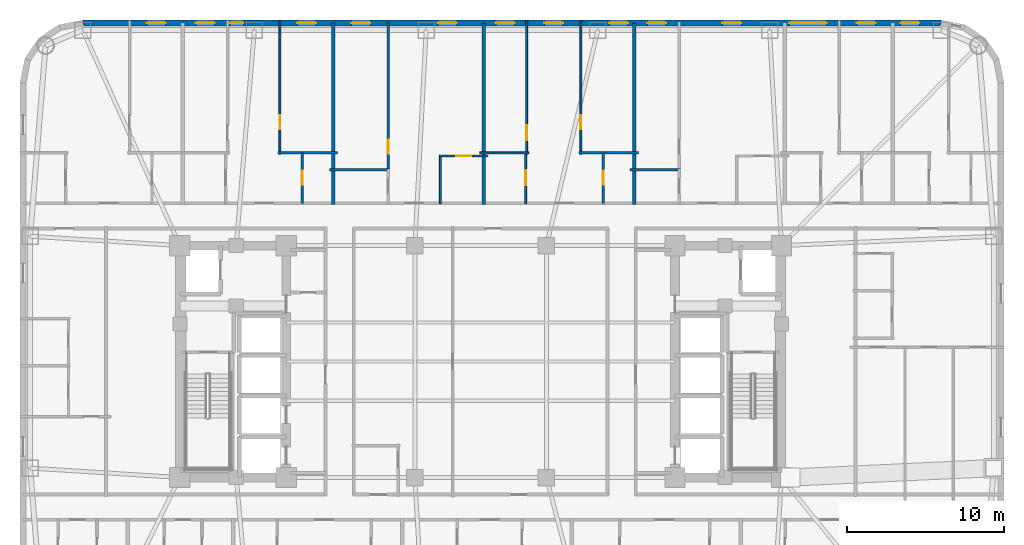
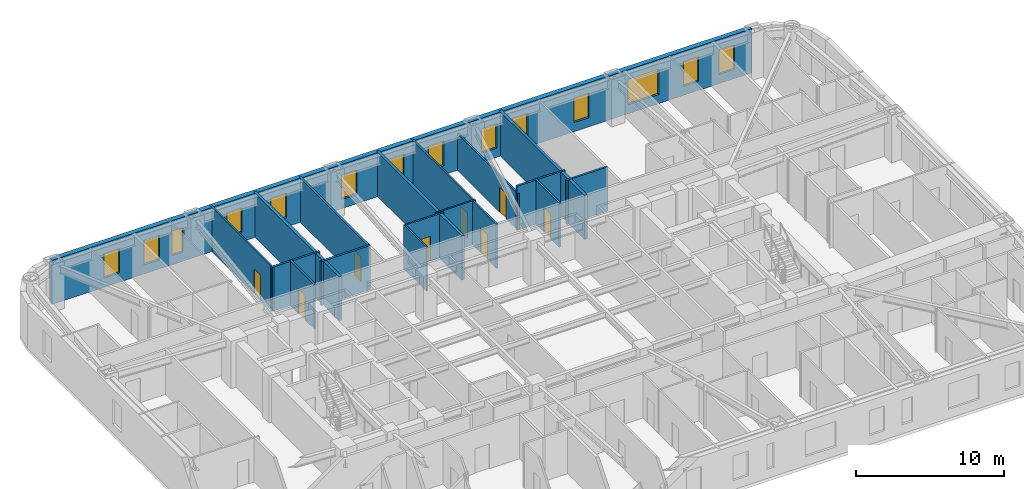
# One storey, part 8 of 11: 18 walls, 14 windows, 8 doors, 22 openings.
"""IFC4 building model written with IfcOpenShell, lengths in metres."""

from ifc_helpers import new_model, si_unit, direction, frame, frame_2d, origin, place, context, subcontext, project, spatial, rectangle, extrude, material, layer, layer_set, type_object, element, fill, save


model = new_model("IFC4")

# Units and contexts
model_context = context("Model", 3, precision=1e-05, world=origin(), true_north=direction((0.0, 1.0)))
body_context = subcontext(model_context, "Body", "Model", "MODEL_VIEW")
ifc_project = project(units=[si_unit("LENGTHUNIT", "METRE"), si_unit("AREAUNIT", "SQUARE_METRE"), si_unit("VOLUMEUNIT", "CUBIC_METRE"), si_unit("PLANEANGLEUNIT", "RADIAN"), si_unit("MASSUNIT", "GRAM", prefix="KILO")], contexts=[model_context])

# Site, building, storey
site_placement = place(None, origin())
site = spatial("IfcSite", under=ifc_project, at=site_placement, CompositionType="ELEMENT")
building_placement = place(site_placement, origin())
building = spatial("IfcBuilding", under=site, at=building_placement, Name="Voryun Gate Residences", CompositionType="ELEMENT")
storey_placement = place(building_placement, frame((0.0, 0.0, 97.5)))
storey = spatial("IfcBuildingStorey", under=building, at=storey_placement, Name="L23", CompositionType="ELEMENT", Elevation=97.5)

# Wall, openings, windows
ifc_material_1 = material(Name="Granite masonry", Category="masonry")
ifc_layer_1 = layer(ifc_material_1, 0.3798828125, Name="W_EXT_GRANITE_380")
ifc_layer_set_1 = layer_set([ifc_layer_1], Name="Granite masonry")
wall_type_1 = type_object("IfcWallType", Name="W_EXT_GRANITE_380", PredefinedType="ELEMENTEDWALL", material=ifc_layer_set_1)
wall_1_placement = place(storey_placement, frame((-25.38134765625, 21.610107421875, 0.0), z_axis=(0.0, 0.0, 1.0), x_axis=(1.0, 0.0, 0.0)))
wall_1 = element("IfcWall", 1, at=wall_1_placement, inside=storey, type_object=wall_type_1, Name="Exterior wall WEXT-L23-11", PredefinedType="ELEMENTEDWALL", context=body_context, shape_type="SweptSolid", body=[
    extrude(rectangle(XDim=54.7626953125, YDim=0.3798828125, at=frame_2d((27.38134765625, 0.0))), origin(), (0.0, 0.0, 1.0), 3.64990234375),
])
opening_1_placement = place(wall_1_placement, frame((45.0673828125, 0.0, 0.75)))
opening_1 = element("IfcOpeningElement", 2, at=opening_1_placement, cuts=wall_1, Name="Opening WN2", PredefinedType="OPENING", context=body_context, shape_type="SweptSolid", body=[
    extrude(rectangle(XDim=2.39990234375, YDim=2.10009765625, at=frame_2d((1.199951171875, 1.050048828125))), frame((0.0, 0.199951171875, 0.0), z_axis=(0.0, -1.0, 0.0), x_axis=(1.0, 0.0, 0.0)), (0.0, 0.0, 1.0), 0.39990234375),
])
opening_2_placement = place(wall_1_placement, frame((4.076416015625, 0.0, 0.75)))
opening_2 = element("IfcOpeningElement", 3, at=opening_2_placement, cuts=wall_1, Name="Opening WN6", PredefinedType="OPENING", context=body_context, shape_type="SweptSolid", body=[
    extrude(rectangle(XDim=1.199951171875, YDim=2.050048828125, at=frame_2d((0.60009765625, 1.02490234375))), frame((0.0, 0.199951171875, 0.0), z_axis=(0.0, -1.0, 0.0), x_axis=(1.0, 0.0, 0.0)), (0.0, 0.0, 1.0), 0.39990234375),
])
opening_3_placement = place(wall_1_placement, frame((9.394775390625, 0.0, 0.75)))
opening_3 = element("IfcOpeningElement", 4, at=opening_3_placement, cuts=wall_1, Name="Opening WN9", PredefinedType="OPENING", context=body_context, shape_type="SweptSolid", body=[
    extrude(rectangle(XDim=0.85009765625, YDim=2.050048828125, at=frame_2d((0.425048828125, 1.02490234375))), frame((0.0, 0.199951171875, 0.0), z_axis=(0.0, -1.0, 0.0), x_axis=(1.0, 0.0, 0.0)), (0.0, 0.0, 1.0), 0.39990234375),
])
opening_4_placement = place(wall_1_placement, frame((7.204833984375, 0.0, 0.75)))
opening_4 = element("IfcOpeningElement", 5, at=opening_4_placement, cuts=wall_1, Name="Opening WN6", PredefinedType="OPENING", context=body_context, shape_type="SweptSolid", body=[
    extrude(rectangle(XDim=1.199951171875, YDim=2.050048828125, at=frame_2d((0.60009765625, 1.02490234375))), frame((0.0, 0.199951171875, 0.0), z_axis=(0.0, -1.0, 0.0), x_axis=(1.0, 0.0, 0.0)), (0.0, 0.0, 1.0), 0.39990234375),
])
opening_5_placement = place(wall_1_placement, frame((13.67626953125, 0.0, 0.75)))
opening_5 = element("IfcOpeningElement", 6, at=opening_5_placement, cuts=wall_1, Name="Opening WN6", PredefinedType="OPENING", context=body_context, shape_type="SweptSolid", body=[
    extrude(rectangle(XDim=1.199951171875, YDim=2.050048828125, at=frame_2d((0.60009765625, 1.02490234375))), frame((0.0, 0.199951171875, 0.0), z_axis=(0.0, -1.0, 0.0), x_axis=(1.0, 0.0, 0.0)), (0.0, 0.0, 1.0), 0.39990234375),
])
opening_6_placement = place(wall_1_placement, frame((17.13623046875, 0.0, 0.75)))
opening_6 = element("IfcOpeningElement", 7, at=opening_6_placement, cuts=wall_1, Name="Opening WN6", PredefinedType="OPENING", context=body_context, shape_type="SweptSolid", body=[
    extrude(rectangle(XDim=1.199951171875, YDim=2.050048828125, at=frame_2d((0.60009765625, 1.02490234375))), frame((0.0, 0.199951171875, 0.0), z_axis=(0.0, -1.0, 0.0), x_axis=(1.0, 0.0, 0.0)), (0.0, 0.0, 1.0), 0.39990234375),
])
opening_7_placement = place(wall_1_placement, frame((22.65625, 0.0, 0.75)))
opening_7 = element("IfcOpeningElement", 8, at=opening_7_placement, cuts=wall_1, Name="Opening WN6", PredefinedType="OPENING", context=body_context, shape_type="SweptSolid", body=[
    extrude(rectangle(XDim=1.199951171875, YDim=2.050048828125, at=frame_2d((0.60009765625, 1.02490234375))), frame((0.0, 0.199951171875, 0.0), z_axis=(0.0, -1.0, 0.0), x_axis=(1.0, 0.0, 0.0)), (0.0, 0.0, 1.0), 0.39990234375),
])
opening_8_placement = place(wall_1_placement, frame((29.44287109375, 0.0, 0.75)))
opening_8 = element("IfcOpeningElement", 9, at=opening_8_placement, cuts=wall_1, Name="Opening WN6", PredefinedType="OPENING", context=body_context, shape_type="SweptSolid", body=[
    extrude(rectangle(XDim=1.199951171875, YDim=2.050048828125, at=frame_2d((0.60009765625, 1.02490234375))), frame((0.0, 0.199951171875, 0.0), z_axis=(0.0, -1.0, 0.0), x_axis=(1.0, 0.0, 0.0)), (0.0, 0.0, 1.0), 0.39990234375),
])
opening_9_placement = place(wall_1_placement, frame((26.347900390625, 0.0, 0.75)))
opening_9 = element("IfcOpeningElement", 10, at=opening_9_placement, cuts=wall_1, Name="Opening WN6", PredefinedType="OPENING", context=body_context, shape_type="SweptSolid", body=[
    extrude(rectangle(XDim=1.199951171875, YDim=2.050048828125, at=frame_2d((0.60009765625, 1.02490234375))), frame((0.0, 0.199951171875, 0.0), z_axis=(0.0, -1.0, 0.0), x_axis=(1.0, 0.0, 0.0)), (0.0, 0.0, 1.0), 0.39990234375),
])
opening_10_placement = place(wall_1_placement, frame((33.59619140625, 0.0, 0.75)))
opening_10 = element("IfcOpeningElement", 11, at=opening_10_placement, cuts=wall_1, Name="Opening WN6", PredefinedType="OPENING", context=body_context, shape_type="SweptSolid", body=[
    extrude(rectangle(XDim=1.199951171875, YDim=2.050048828125, at=frame_2d((0.60009765625, 1.02490234375))), frame((0.0, 0.199951171875, 0.0), z_axis=(0.0, -1.0, 0.0), x_axis=(1.0, 0.0, 0.0)), (0.0, 0.0, 1.0), 0.39990234375),
])
opening_11_placement = place(wall_1_placement, frame((36.014404296875, 0.0, 0.75)))
opening_11 = element("IfcOpeningElement", 12, at=opening_11_placement, cuts=wall_1, Name="Opening WN6", PredefinedType="OPENING", context=body_context, shape_type="SweptSolid", body=[
    extrude(rectangle(XDim=1.199951171875, YDim=2.050048828125, at=frame_2d((0.60009765625, 1.02490234375))), frame((0.0, 0.199951171875, 0.0), z_axis=(0.0, -1.0, 0.0), x_axis=(1.0, 0.0, 0.0)), (0.0, 0.0, 1.0), 0.39990234375),
])
opening_12_placement = place(wall_1_placement, frame((40.814208984375, 0.0, 0.75)))
opening_12 = element("IfcOpeningElement", 13, at=opening_12_placement, cuts=wall_1, Name="Opening WN6", PredefinedType="OPENING", context=body_context, shape_type="SweptSolid", body=[
    extrude(rectangle(XDim=1.199951171875, YDim=2.050048828125, at=frame_2d((0.60009765625, 1.02490234375))), frame((0.0, 0.199951171875, 0.0), z_axis=(0.0, -1.0, 0.0), x_axis=(1.0, 0.0, 0.0)), (0.0, 0.0, 1.0), 0.39990234375),
])
opening_13_placement = place(wall_1_placement, frame((49.38525390625, 0.0, 0.75)))
opening_13 = element("IfcOpeningElement", 14, at=opening_13_placement, cuts=wall_1, Name="Opening WN6", PredefinedType="OPENING", context=body_context, shape_type="SweptSolid", body=[
    extrude(rectangle(XDim=1.199951171875, YDim=2.050048828125, at=frame_2d((0.60009765625, 1.02490234375))), frame((0.0, 0.199951171875, 0.0), z_axis=(0.0, -1.0, 0.0), x_axis=(1.0, 0.0, 0.0)), (0.0, 0.0, 1.0), 0.39990234375),
])
opening_14_placement = place(wall_1_placement, frame((52.181396484375, 0.0, 0.75)))
opening_14 = element("IfcOpeningElement", 15, at=opening_14_placement, cuts=wall_1, Name="Opening WN6", PredefinedType="OPENING", context=body_context, shape_type="SweptSolid", body=[
    extrude(rectangle(XDim=1.199951171875, YDim=2.050048828125, at=frame_2d((0.60009765625, 1.02490234375))), frame((0.0, 0.199951171875, 0.0), z_axis=(0.0, -1.0, 0.0), x_axis=(1.0, 0.0, 0.0)), (0.0, 0.0, 1.0), 0.39990234375),
])
ifc_material_2 = material(Name="Laminated low-E glass", Category="glass")
window_type_1 = type_object("IfcWindowType", Name="WN_POD_SLOT_1200", PartitioningType="SINGLE_PANEL", PredefinedType="WINDOW", material=ifc_material_2)
window_1_placement = place(opening_2_placement, origin())
window_1 = element("IfcWindow", 16, at=window_1_placement, inside=storey, type_object=window_type_1, Name="Window WN-L23-DWFIX-02", OverallHeight=2.050048828125, OverallWidth=1.199951171875, PartitioningType="SINGLE_PANEL", PredefinedType="WINDOW", context=body_context, shape_type="SweptSolid", body=[
    extrude(rectangle(XDim=1.199951171875, YDim=2.050048828125, at=frame_2d((0.60009765625, 1.02490234375))), frame((0.0, 0.030029296875, 0.0), z_axis=(0.0, -1.0, 0.0), x_axis=(1.0, 0.0, 0.0)), (0.0, 0.0, 1.0), 0.06005859375),
])
fill(opening_2, window_1)
window_2_placement = place(opening_4_placement, origin())
window_2 = element("IfcWindow", 17, at=window_2_placement, inside=storey, type_object=window_type_1, Name="Window WN-L23-DWFIX-04", OverallHeight=2.050048828125, OverallWidth=1.199951171875, PartitioningType="SINGLE_PANEL", PredefinedType="WINDOW", context=body_context, shape_type="SweptSolid", body=[
    extrude(rectangle(XDim=1.199951171875, YDim=2.050048828125, at=frame_2d((0.60009765625, 1.02490234375))), frame((0.0, 0.030029296875, 0.0), z_axis=(0.0, -1.0, 0.0), x_axis=(1.0, 0.0, 0.0)), (0.0, 0.0, 1.0), 0.06005859375),
])
fill(opening_4, window_2)
window_3_placement = place(opening_5_placement, origin())
window_3 = element("IfcWindow", 18, at=window_3_placement, inside=storey, type_object=window_type_1, Name="Window WN-L23-DWFIX-05", OverallHeight=2.050048828125, OverallWidth=1.199951171875, PartitioningType="SINGLE_PANEL", PredefinedType="WINDOW", context=body_context, shape_type="SweptSolid", body=[
    extrude(rectangle(XDim=1.199951171875, YDim=2.050048828125, at=frame_2d((0.60009765625, 1.02490234375))), frame((0.0, 0.030029296875, 0.0), z_axis=(0.0, -1.0, 0.0), x_axis=(1.0, 0.0, 0.0)), (0.0, 0.0, 1.0), 0.06005859375),
])
fill(opening_5, window_3)
window_4_placement = place(opening_6_placement, origin())
window_4 = element("IfcWindow", 19, at=window_4_placement, inside=storey, type_object=window_type_1, Name="Window WN-L23-DWFIX-06", OverallHeight=2.050048828125, OverallWidth=1.199951171875, PartitioningType="SINGLE_PANEL", PredefinedType="WINDOW", context=body_context, shape_type="SweptSolid", body=[
    extrude(rectangle(XDim=1.199951171875, YDim=2.050048828125, at=frame_2d((0.60009765625, 1.02490234375))), frame((0.0, 0.030029296875, 0.0), z_axis=(0.0, -1.0, 0.0), x_axis=(1.0, 0.0, 0.0)), (0.0, 0.0, 1.0), 0.06005859375),
])
fill(opening_6, window_4)
window_5_placement = place(opening_7_placement, origin())
window_5 = element("IfcWindow", 20, at=window_5_placement, inside=storey, type_object=window_type_1, Name="Window WN-L23-DWFIX-07", OverallHeight=2.050048828125, OverallWidth=1.199951171875, PartitioningType="SINGLE_PANEL", PredefinedType="WINDOW", context=body_context, shape_type="SweptSolid", body=[
    extrude(rectangle(XDim=1.199951171875, YDim=2.050048828125, at=frame_2d((0.60009765625, 1.02490234375))), frame((0.0, 0.030029296875, 0.0), z_axis=(0.0, -1.0, 0.0), x_axis=(1.0, 0.0, 0.0)), (0.0, 0.0, 1.0), 0.06005859375),
])
fill(opening_7, window_5)
window_6_placement = place(opening_8_placement, origin())
window_6 = element("IfcWindow", 21, at=window_6_placement, inside=storey, type_object=window_type_1, Name="Window WN-L23-DWFIX-08", OverallHeight=2.050048828125, OverallWidth=1.199951171875, PartitioningType="SINGLE_PANEL", PredefinedType="WINDOW", context=body_context, shape_type="SweptSolid", body=[
    extrude(rectangle(XDim=1.199951171875, YDim=2.050048828125, at=frame_2d((0.60009765625, 1.02490234375))), frame((0.0, 0.030029296875, 0.0), z_axis=(0.0, -1.0, 0.0), x_axis=(1.0, 0.0, 0.0)), (0.0, 0.0, 1.0), 0.06005859375),
])
fill(opening_8, window_6)
window_7_placement = place(opening_9_placement, origin())
window_7 = element("IfcWindow", 22, at=window_7_placement, inside=storey, type_object=window_type_1, Name="Window WN-L23-DWFIX-09", OverallHeight=2.050048828125, OverallWidth=1.199951171875, PartitioningType="SINGLE_PANEL", PredefinedType="WINDOW", context=body_context, shape_type="SweptSolid", body=[
    extrude(rectangle(XDim=1.199951171875, YDim=2.050048828125, at=frame_2d((0.60009765625, 1.02490234375))), frame((0.0, 0.030029296875, 0.0), z_axis=(0.0, -1.0, 0.0), x_axis=(1.0, 0.0, 0.0)), (0.0, 0.0, 1.0), 0.06005859375),
])
fill(opening_9, window_7)
window_8_placement = place(opening_10_placement, origin())
window_8 = element("IfcWindow", 23, at=window_8_placement, inside=storey, type_object=window_type_1, Name="Window WN-L23-DWFIX-10", OverallHeight=2.050048828125, OverallWidth=1.199951171875, PartitioningType="SINGLE_PANEL", PredefinedType="WINDOW", context=body_context, shape_type="SweptSolid", body=[
    extrude(rectangle(XDim=1.199951171875, YDim=2.050048828125, at=frame_2d((0.60009765625, 1.02490234375))), frame((0.0, 0.030029296875, 0.0), z_axis=(0.0, -1.0, 0.0), x_axis=(1.0, 0.0, 0.0)), (0.0, 0.0, 1.0), 0.06005859375),
])
fill(opening_10, window_8)
window_9_placement = place(opening_11_placement, origin())
window_9 = element("IfcWindow", 24, at=window_9_placement, inside=storey, type_object=window_type_1, Name="Window WN-L23-DWFIX-11", OverallHeight=2.050048828125, OverallWidth=1.199951171875, PartitioningType="SINGLE_PANEL", PredefinedType="WINDOW", context=body_context, shape_type="SweptSolid", body=[
    extrude(rectangle(XDim=1.199951171875, YDim=2.050048828125, at=frame_2d((0.60009765625, 1.02490234375))), frame((0.0, 0.030029296875, 0.0), z_axis=(0.0, -1.0, 0.0), x_axis=(1.0, 0.0, 0.0)), (0.0, 0.0, 1.0), 0.06005859375),
])
fill(opening_11, window_9)
window_10_placement = place(opening_12_placement, origin())
window_10 = element("IfcWindow", 25, at=window_10_placement, inside=storey, type_object=window_type_1, Name="Window WN-L23-DWFIX-12", OverallHeight=2.050048828125, OverallWidth=1.199951171875, PartitioningType="SINGLE_PANEL", PredefinedType="WINDOW", context=body_context, shape_type="SweptSolid", body=[
    extrude(rectangle(XDim=1.199951171875, YDim=2.050048828125, at=frame_2d((0.60009765625, 1.02490234375))), frame((0.0, 0.030029296875, 0.0), z_axis=(0.0, -1.0, 0.0), x_axis=(1.0, 0.0, 0.0)), (0.0, 0.0, 1.0), 0.06005859375),
])
fill(opening_12, window_10)
window_11_placement = place(opening_13_placement, origin())
window_11 = element("IfcWindow", 26, at=window_11_placement, inside=storey, type_object=window_type_1, Name="Window WN-L23-DWFIX-13", OverallHeight=2.050048828125, OverallWidth=1.199951171875, PartitioningType="SINGLE_PANEL", PredefinedType="WINDOW", context=body_context, shape_type="SweptSolid", body=[
    extrude(rectangle(XDim=1.199951171875, YDim=2.050048828125, at=frame_2d((0.60009765625, 1.02490234375))), frame((0.0, 0.030029296875, 0.0), z_axis=(0.0, -1.0, 0.0), x_axis=(1.0, 0.0, 0.0)), (0.0, 0.0, 1.0), 0.06005859375),
])
fill(opening_13, window_11)
window_12_placement = place(opening_14_placement, origin())
window_12 = element("IfcWindow", 27, at=window_12_placement, inside=storey, type_object=window_type_1, Name="Window WN-L23-DWFIX-14", OverallHeight=2.050048828125, OverallWidth=1.199951171875, PartitioningType="SINGLE_PANEL", PredefinedType="WINDOW", context=body_context, shape_type="SweptSolid", body=[
    extrude(rectangle(XDim=1.199951171875, YDim=2.050048828125, at=frame_2d((0.60009765625, 1.02490234375))), frame((0.0, 0.030029296875, 0.0), z_axis=(0.0, -1.0, 0.0), x_axis=(1.0, 0.0, 0.0)), (0.0, 0.0, 1.0), 0.06005859375),
])
fill(opening_14, window_12)
ifc_material_3 = material(Name="Laminated low-E glass", Category="glass")
window_type_2 = type_object("IfcWindowType", Name="WN_RES_CASEMENT_850", PartitioningType="SINGLE_PANEL", PredefinedType="WINDOW", material=ifc_material_3)
window_13_placement = place(opening_3_placement, origin())
window_13 = element("IfcWindow", 28, at=window_13_placement, inside=storey, type_object=window_type_2, Name="Window WN-L23-DWFIX-03", OverallHeight=2.050048828125, OverallWidth=0.85009765625, PartitioningType="SINGLE_PANEL", PredefinedType="WINDOW", context=body_context, shape_type="SweptSolid", body=[
    extrude(rectangle(XDim=0.85009765625, YDim=2.050048828125, at=frame_2d((0.425048828125, 1.02490234375))), frame((0.0, 0.030029296875, 0.0), z_axis=(0.0, -1.0, 0.0), x_axis=(1.0, 0.0, 0.0)), (0.0, 0.0, 1.0), 0.06005859375),
])
fill(opening_3, window_13)
ifc_material_4 = material(Name="Laminated low-E glass", Category="glass")
window_type_3 = type_object("IfcWindowType", Name="WN_RES_WIDE_2400", PartitioningType="SINGLE_PANEL", PredefinedType="WINDOW", material=ifc_material_4)
window_14_placement = place(opening_1_placement, origin())
window_14 = element("IfcWindow", 29, at=window_14_placement, inside=storey, type_object=window_type_3, Name="Window WN-WEXT-L23-11-04", OverallHeight=2.10009765625, OverallWidth=2.39990234375, PartitioningType="SINGLE_PANEL", PredefinedType="WINDOW", context=body_context, shape_type="SweptSolid", body=[
    extrude(rectangle(XDim=2.39990234375, YDim=2.10009765625, at=frame_2d((1.199951171875, 1.050048828125))), frame((0.0, 0.030029296875, 0.0), z_axis=(0.0, -1.0, 0.0), x_axis=(1.0, 0.0, 0.0)), (0.0, 0.0, 1.0), 0.06005859375),
])
fill(opening_1, window_14)

# Walls
ifc_material_5 = material(Name="Concrete C40/50", Category="concrete")
ifc_layer_2 = layer(ifc_material_5, 0.219970703125, Name="W_PARTY_ACOUSTIC_220")
ifc_layer_set_2 = layer_set([ifc_layer_2], Name="Concrete C40/50")
wall_type_2 = type_object("IfcWallType", Name="W_PARTY_ACOUSTIC_220", PredefinedType="PARTITIONING", material=ifc_layer_set_2)
for number, where, z_axis, x_axis, name in (
    (30, (-9.39990234375, 10.02001953125, 0.0), (0.0, 0.0, 1.0), (0.0, 1.0, 0.0), "Partition wall WP-L23-NPTY-2"),
    (31, (0.199951171875, 10.02001953125, 0.0), (0.0, 0.0, 1.0), (0.0, 1.0, 0.0), "Partition wall WP-L23-NPTY-3"),
    (32, (9.800048828125, 10.02001953125, 0.0), (0.0, 0.0, 1.0), (0.0, 1.0, 0.0), "Partition wall WP-L23-NPTY-4"),
):
    element("IfcWall", number, at=place(storey_placement, frame(where, z_axis=z_axis, x_axis=x_axis)), inside=storey, type_object=wall_type_2, Name=name, PredefinedType="PARTITIONING", context=body_context, shape_type="SweptSolid", body=[
        extrude(rectangle(XDim=11.590087890625, YDim=0.219970703125, at=frame_2d((5.794921875, 0.0))), origin(), (0.0, 0.0, 1.0), 3.64990234375),
    ])

# Wall, opening, door
ifc_material_6 = material(Name="Gypsum acoustic partition")
ifc_layer_3 = layer(ifc_material_6, 0.125, Name="W_UNIT_PART_125")
ifc_layer_set_3 = layer_set([ifc_layer_3], Name="Gypsum acoustic partition")
wall_type_3 = type_object("IfcWallType", Name="W_UNIT_PART_125", PredefinedType="PARTITIONING", material=ifc_layer_set_3)
wall_2_placement = place(storey_placement, frame((-12.81005859375, 13.239990234375, 0.0), z_axis=(0.0, 0.0, 1.0), x_axis=(0.0, 1.0, 0.0)))
wall_2 = element("IfcWall", 33, at=wall_2_placement, inside=storey, type_object=wall_type_3, Name="Partition wall WP-L23-N2-OVR", PredefinedType="PARTITIONING", context=body_context, shape_type="SweptSolid", body=[
    extrude(rectangle(XDim=8.52001953125, YDim=0.125, at=frame_2d((4.260009765625, 0.0))), origin(), (0.0, 0.0, 1.0), 3.64990234375),
])
opening_15_placement = place(wall_2_placement, frame((1.5947265625, 0.0, 0.0)))
opening_15 = element("IfcOpeningElement", 34, at=opening_15_placement, cuts=wall_2, Name="Opening D-INT-2", PredefinedType="OPENING", context=body_context, shape_type="SweptSolid", body=[
    extrude(rectangle(XDim=0.89990234375, YDim=2.050048828125, at=frame_2d((0.449951171875, 1.02490234375))), frame((0.0, 0.072509765625, 0.0), z_axis=(0.0, -1.0, 0.0), x_axis=(1.0, 0.0, 0.0)), (0.0, 0.0, 1.0), 0.14501953125),
])
ifc_material_7 = material(Name="Architectural oak veneer")
door_type_1 = type_object("IfcDoorType", Name="DR_INT_BATH_900", OperationType="NOTDEFINED", PredefinedType="DOOR", material=ifc_material_7)
door_1_placement = place(opening_15_placement, origin())
door_1 = element("IfcDoor", 35, at=door_1_placement, inside=storey, type_object=door_type_1, Name="Door DR-L23-N2-DMB", OperationType="SINGLE_SWING_RIGHT", OverallHeight=2.050048828125, OverallWidth=0.89990234375, PredefinedType="DOOR", context=body_context, shape_type="SweptSolid", body=[
    extrude(rectangle(XDim=0.89990234375, YDim=2.050048828125, at=frame_2d((0.449951171875, 1.02490234375))), frame((0.0, 0.02490234375, 0.0), z_axis=(0.0, -1.0, 0.0), x_axis=(1.0, 0.0, 0.0)), (0.0, 0.0, 1.0), 0.050048828125),
])
fill(opening_15, door_1)

wall_3_placement = place(storey_placement, frame((-2.633056640625, 13.1201171875, 0.0), z_axis=(0.0, 0.0, 1.0), x_axis=(1.0, 0.0, 0.0)))
wall_3 = element("IfcWall", 36, at=wall_3_placement, inside=storey, type_object=wall_type_3, Name="Partition wall WP-L23-N3-KHY", PredefinedType="PARTITIONING", context=body_context, shape_type="SweptSolid", body=[
    extrude(rectangle(XDim=3.093017578125, YDim=0.125, at=frame_2d((1.54638671875, 0.0))), origin(), (0.0, 0.0, 1.0), 3.64990234375),
])
opening_16_placement = place(wall_3_placement, frame((1.071533203125, 0.0, 0.0)))
opening_16 = element("IfcOpeningElement", 37, at=opening_16_placement, cuts=wall_3, Name="Opening D-INT-1", PredefinedType="OPENING", context=body_context, shape_type="SweptSolid", body=[
    extrude(rectangle(XDim=0.949951171875, YDim=2.050048828125, at=frame_2d((0.47509765625, 1.02490234375))), frame((0.0, 0.072509765625, 0.0), z_axis=(0.0, -1.0, 0.0), x_axis=(1.0, 0.0, 0.0)), (0.0, 0.0, 1.0), 0.14501953125),
])
ifc_material_8 = material(Name="Architectural oak veneer")
door_type_2 = type_object("IfcDoorType", Name="DR_INT_ROOM_950", OperationType="NOTDEFINED", PredefinedType="DOOR", material=ifc_material_8)
door_2_placement = place(opening_16_placement, origin())
door_2 = element("IfcDoor", 38, at=door_2_placement, inside=storey, type_object=door_type_2, Name="Door DR-L23-N3-DK", OperationType="SINGLE_SWING_LEFT", OverallHeight=2.050048828125, OverallWidth=0.949951171875, PredefinedType="DOOR", context=body_context, shape_type="SweptSolid", body=[
    extrude(rectangle(XDim=0.949951171875, YDim=2.050048828125, at=frame_2d((0.47509765625, 1.02490234375))), frame((0.0, 0.02490234375, 0.0), z_axis=(0.0, -1.0, 0.0), x_axis=(1.0, 0.0, 0.0)), (0.0, 0.0, 1.0), 0.050048828125),
])
fill(opening_16, door_2)

# Wall
wall_4_placement = place(storey_placement, frame((-2.572998046875, 10.080078125, 0.0), z_axis=(0.0, 0.0, 1.0), x_axis=(0.0, 1.0, 0.0)))
element("IfcWall", 39, at=wall_4_placement, inside=storey, type_object=wall_type_3, Name="Partition wall WP-L23-N3-KVX", PredefinedType="PARTITIONING", context=body_context, shape_type="SweptSolid", body=[
    extrude(rectangle(XDim=3.099853515625, YDim=0.125, at=frame_2d((1.5498046875, 0.0))), origin(), (0.0, 0.0, 1.0), 3.64990234375),
])

# Wall, opening, door
wall_5_placement = place(storey_placement, frame((2.93310546875, 13.239990234375, 0.0), z_axis=(0.0, 0.0, 1.0), x_axis=(0.0, 1.0, 0.0)))
wall_5 = element("IfcWall", 40, at=wall_5_placement, inside=storey, type_object=wall_type_3, Name="Partition wall WP-L23-N4-OVL", PredefinedType="PARTITIONING", context=body_context, shape_type="SweptSolid", body=[
    extrude(rectangle(XDim=8.52001953125, YDim=0.125, at=frame_2d((4.260009765625, 0.0))), origin(), (0.0, 0.0, 1.0), 3.64990234375),
])
opening_17_placement = place(wall_5_placement, frame((0.88818359375, 0.0, 0.0)))
opening_17 = element("IfcOpeningElement", 41, at=opening_17_placement, cuts=wall_5, Name="Opening D-INT-1", PredefinedType="OPENING", context=body_context, shape_type="SweptSolid", body=[
    extrude(rectangle(XDim=0.949951171875, YDim=2.050048828125, at=frame_2d((0.47509765625, 1.02490234375))), frame((0.0, 0.072509765625, 0.0), z_axis=(0.0, -1.0, 0.0), x_axis=(1.0, 0.0, 0.0)), (0.0, 0.0, 1.0), 0.14501953125),
])
door_3_placement = place(opening_17_placement, origin())
door_3 = element("IfcDoor", 42, at=door_3_placement, inside=storey, type_object=door_type_2, Name="Door DR-L23-N4-DB2", OperationType="SINGLE_SWING_LEFT", OverallHeight=2.050048828125, OverallWidth=0.949951171875, PredefinedType="DOOR", context=body_context, shape_type="SweptSolid", body=[
    extrude(rectangle(XDim=0.949951171875, YDim=2.050048828125, at=frame_2d((0.47509765625, 1.02490234375))), frame((0.0, 0.02490234375, 0.0), z_axis=(0.0, -1.0, 0.0), x_axis=(1.0, 0.0, 0.0)), (0.0, 0.0, 1.0), 0.050048828125),
])
fill(opening_17, door_3)

wall_6_placement = place(storey_placement, frame((6.389892578125, 13.239990234375, 0.0), z_axis=(0.0, 0.0, 1.0), x_axis=(0.0, 1.0, 0.0)))
wall_6 = element("IfcWall", 43, at=wall_6_placement, inside=storey, type_object=wall_type_3, Name="Partition wall WP-L23-N4-OVR", PredefinedType="PARTITIONING", context=body_context, shape_type="SweptSolid", body=[
    extrude(rectangle(XDim=8.52001953125, YDim=0.125, at=frame_2d((4.260009765625, 0.0))), origin(), (0.0, 0.0, 1.0), 3.0400390625),
])
opening_18_placement = place(wall_6_placement, frame((1.5947265625, 0.0, 0.0)))
opening_18 = element("IfcOpeningElement", 44, at=opening_18_placement, cuts=wall_6, Name="Opening D-INT-2", PredefinedType="OPENING", context=body_context, shape_type="SweptSolid", body=[
    extrude(rectangle(XDim=0.89990234375, YDim=2.050048828125, at=frame_2d((0.449951171875, 1.02490234375))), frame((0.0, 0.072509765625, 0.0), z_axis=(0.0, -1.0, 0.0), x_axis=(1.0, 0.0, 0.0)), (0.0, 0.0, 1.0), 0.14501953125),
])
door_4_placement = place(opening_18_placement, origin())
door_4 = element("IfcDoor", 45, at=door_4_placement, inside=storey, type_object=door_type_1, Name="Door DR-L23-N4-DMB", OperationType="SINGLE_SWING_RIGHT", OverallHeight=2.050048828125, OverallWidth=0.89990234375, PredefinedType="DOOR", context=body_context, shape_type="SweptSolid", body=[
    extrude(rectangle(XDim=0.89990234375, YDim=2.050048828125, at=frame_2d((0.449951171875, 1.02490234375))), frame((0.0, 0.02490234375, 0.0), z_axis=(0.0, -1.0, 0.0), x_axis=(1.0, 0.0, 0.0)), (0.0, 0.0, 1.0), 0.050048828125),
])
fill(opening_18, door_4)

wall_7_placement = place(storey_placement, frame((2.8759765625, 10.080078125, 0.0), z_axis=(0.0, 0.0, 1.0), x_axis=(0.0, 1.0, 0.0)))
wall_7 = element("IfcWall", 46, at=wall_7_placement, inside=storey, type_object=wall_type_3, Name="Partition wall WP-L23-N4-IVK", PredefinedType="PARTITIONING", context=body_context, shape_type="SweptSolid", body=[
    extrude(rectangle(XDim=3.31982421875, YDim=0.125, at=frame_2d((1.659912109375, 0.0))), origin(), (0.0, 0.0, 1.0), 3.64990234375),
])
opening_19_placement = place(wall_7_placement, frame((1.18505859375, 0.0, 0.0)))
opening_19 = element("IfcOpeningElement", 47, at=opening_19_placement, cuts=wall_7, Name="Opening D-INT-1", PredefinedType="OPENING", context=body_context, shape_type="SweptSolid", body=[
    extrude(rectangle(XDim=0.949951171875, YDim=2.050048828125, at=frame_2d((0.47509765625, 1.02490234375))), frame((0.0, 0.072509765625, 0.0), z_axis=(0.0, -1.0, 0.0), x_axis=(1.0, 0.0, 0.0)), (0.0, 0.0, 1.0), 0.14501953125),
])
door_5_placement = place(opening_19_placement, origin())
door_5 = element("IfcDoor", 48, at=door_5_placement, inside=storey, type_object=door_type_2, Name="Door DR-L23-N4-DK", OperationType="SINGLE_SWING_LEFT", OverallHeight=2.050048828125, OverallWidth=0.949951171875, PredefinedType="DOOR", context=body_context, shape_type="SweptSolid", body=[
    extrude(rectangle(XDim=0.949951171875, YDim=2.050048828125, at=frame_2d((0.47509765625, 1.02490234375))), frame((0.0, 0.02490234375, 0.0), z_axis=(0.0, -1.0, 0.0), x_axis=(1.0, 0.0, 0.0)), (0.0, 0.0, 1.0), 0.050048828125),
])
fill(opening_19, door_5)

# Walls
wall_8_placement = place(storey_placement, frame((-0.06005859375, 13.320068359375, 0.0), z_axis=(0.0, 0.0, 1.0), x_axis=(1.0, 0.0, 0.0)))
element("IfcWall", 49, at=wall_8_placement, inside=storey, type_object=wall_type_3, Name="Partition wall WP-L23-N4-HZK", PredefinedType="PARTITIONING", context=body_context, shape_type="SweptSolid", body=[
    extrude(rectangle(XDim=3.113037109375, YDim=0.125, at=frame_2d((1.556640625, 0.0))), origin(), (0.0, 0.0, 1.0), 3.64990234375),
])
ifc_material_9 = material(Name="Gypsum moisture-resistant partition")
ifc_layer_4 = layer(ifc_material_9, 0.14990234375, Name="W_WET_PLUMB_150")
ifc_layer_set_4 = layer_set([ifc_layer_4], Name="Gypsum moisture-resistant partition")
wall_type_4 = type_object("IfcWallType", Name="W_WET_PLUMB_150", PredefinedType="PLUMBINGWALL", material=ifc_layer_set_4)
wall_9_placement = place(storey_placement, frame((-12.929931640625, 13.320068359375, 0.0), z_axis=(0.0, 0.0, 1.0), x_axis=(1.0, 0.0, 0.0)))
element("IfcWall", 50, at=wall_9_placement, inside=storey, type_object=wall_type_4, Name="Partition wall WP-L23-N2-HZB", PredefinedType="PLUMBINGWALL", context=body_context, shape_type="SweptSolid", body=[
    extrude(rectangle(XDim=3.7900390625, YDim=0.14990234375, at=frame_2d((1.89501953125, 0.0))), origin(), (0.0, 0.0, 1.0), 3.64990234375),
])

# Wall, opening, door
wall_10_placement = place(storey_placement, frame((-11.3798828125, 10.080078125, 0.0), z_axis=(0.0, 0.0, 1.0), x_axis=(0.0, 1.0, 0.0)))
wall_10 = element("IfcWall", 51, at=wall_10_placement, inside=storey, type_object=wall_type_4, Name="Partition wall WP-L23-N2-IVB", PredefinedType="PLUMBINGWALL", context=body_context, shape_type="SweptSolid", body=[
    extrude(rectangle(XDim=3.31982421875, YDim=0.14990234375, at=frame_2d((1.659912109375, 0.0))), origin(), (0.0, 0.0, 1.0), 3.64990234375),
])
opening_20_placement = place(wall_10_placement, frame((1.2099609375, 0.0, 0.0)))
opening_20 = element("IfcOpeningElement", 52, at=opening_20_placement, cuts=wall_10, Name="Opening D-INT-2", PredefinedType="OPENING", context=body_context, shape_type="SweptSolid", body=[
    extrude(rectangle(XDim=0.89990234375, YDim=2.050048828125, at=frame_2d((0.449951171875, 1.02490234375))), frame((0.0, 0.0849609375, 0.0), z_axis=(0.0, -1.0, 0.0), x_axis=(1.0, 0.0, 0.0)), (0.0, 0.0, 1.0), 0.169921875),
])
door_6_placement = place(opening_20_placement, origin())
door_6 = element("IfcDoor", 53, at=door_6_placement, inside=storey, type_object=door_type_1, Name="Door DR-L23-N2-DB", OperationType="SINGLE_SWING_RIGHT", OverallHeight=2.050048828125, OverallWidth=0.89990234375, PredefinedType="DOOR", context=body_context, shape_type="SweptSolid", body=[
    extrude(rectangle(XDim=0.89990234375, YDim=2.050048828125, at=frame_2d((0.449951171875, 1.02490234375))), frame((0.0, 0.02490234375, 0.0), z_axis=(0.0, -1.0, 0.0), x_axis=(1.0, 0.0, 0.0)), (0.0, 0.0, 1.0), 0.050048828125),
])
fill(opening_20, door_6)

# Wall
wall_11_placement = place(storey_placement, frame((-9.659912109375, 12.239990234375, 0.0), z_axis=(0.0, 0.0, 1.0), x_axis=(1.0, 0.0, 0.0)))
element("IfcWall", 54, at=wall_11_placement, inside=storey, type_object=wall_type_4, Name="Partition wall WP-L23-N3-LHY", PredefinedType="PLUMBINGWALL", context=body_context, shape_type="SweptSolid", body=[
    extrude(rectangle(XDim=3.849853515625, YDim=0.14990234375, at=frame_2d((1.9248046875, 0.0))), origin(), (0.0, 0.0, 1.0), 3.64990234375),
])

# Wall, opening, door
wall_12_placement = place(storey_placement, frame((-5.889892578125, 12.199951171875, 0.0), z_axis=(0.0, 0.0, 1.0), x_axis=(0.0, 1.0, 0.0)))
wall_12 = element("IfcWall", 55, at=wall_12_placement, inside=storey, type_object=wall_type_4, Name="Partition wall WP-L23-N3-LVX2", PredefinedType="PLUMBINGWALL", context=body_context, shape_type="SweptSolid", body=[
    extrude(rectangle(XDim=9.457763671875, YDim=0.14990234375, at=frame_2d((4.72900390625, 0.0))), origin(), (0.0, 0.0, 1.0), 3.64990234375),
])
opening_21_placement = place(wall_12_placement, frame((1.063232421875, 0.0, 0.0)))
opening_21 = element("IfcOpeningElement", 56, at=opening_21_placement, cuts=wall_12, Name="Opening D-INT-2", PredefinedType="OPENING", context=body_context, shape_type="SweptSolid", body=[
    extrude(rectangle(XDim=0.89990234375, YDim=2.050048828125, at=frame_2d((0.449951171875, 1.02490234375))), frame((0.0, 0.0849609375, 0.0), z_axis=(0.0, -1.0, 0.0), x_axis=(1.0, 0.0, 0.0)), (0.0, 0.0, 1.0), 0.169921875),
])
door_7_placement = place(opening_21_placement, origin())
door_7 = element("IfcDoor", 57, at=door_7_placement, inside=storey, type_object=door_type_1, Name="Door DR-L23-N3-DMB", OperationType="SINGLE_SWING_RIGHT", OverallHeight=2.050048828125, OverallWidth=0.89990234375, PredefinedType="DOOR", context=body_context, shape_type="SweptSolid", body=[
    extrude(rectangle(XDim=0.89990234375, YDim=2.050048828125, at=frame_2d((0.449951171875, 1.02490234375))), frame((0.0, 0.02490234375, 0.0), z_axis=(0.0, -1.0, 0.0), x_axis=(1.0, 0.0, 0.0)), (0.0, 0.0, 1.0), 0.050048828125),
])
fill(opening_21, door_7)

# Wall
wall_13_placement = place(storey_placement, frame((6.27001953125, 13.320068359375, 0.0), z_axis=(0.0, 0.0, 1.0), x_axis=(1.0, 0.0, 0.0)))
element("IfcWall", 58, at=wall_13_placement, inside=storey, type_object=wall_type_4, Name="Partition wall WP-L23-N4-HZB", PredefinedType="PLUMBINGWALL", context=body_context, shape_type="SweptSolid", body=[
    extrude(rectangle(XDim=3.7900390625, YDim=0.14990234375, at=frame_2d((1.89501953125, 0.0))), origin(), (0.0, 0.0, 1.0), 3.64990234375),
])

# Wall, opening, door
wall_14_placement = place(storey_placement, frame((7.820068359375, 10.080078125, 0.0), z_axis=(0.0, 0.0, 1.0), x_axis=(0.0, 1.0, 0.0)))
wall_14 = element("IfcWall", 59, at=wall_14_placement, inside=storey, type_object=wall_type_4, Name="Partition wall WP-L23-N4-IVB", PredefinedType="PLUMBINGWALL", context=body_context, shape_type="SweptSolid", body=[
    extrude(rectangle(XDim=3.31982421875, YDim=0.14990234375, at=frame_2d((1.659912109375, 0.0))), origin(), (0.0, 0.0, 1.0), 3.64990234375),
])
opening_22_placement = place(wall_14_placement, frame((1.2099609375, 0.0, 0.0)))
opening_22 = element("IfcOpeningElement", 60, at=opening_22_placement, cuts=wall_14, Name="Opening D-INT-2", PredefinedType="OPENING", context=body_context, shape_type="SweptSolid", body=[
    extrude(rectangle(XDim=0.89990234375, YDim=2.050048828125, at=frame_2d((0.449951171875, 1.02490234375))), frame((0.0, 0.0849609375, 0.0), z_axis=(0.0, -1.0, 0.0), x_axis=(1.0, 0.0, 0.0)), (0.0, 0.0, 1.0), 0.169921875),
])
door_8_placement = place(opening_22_placement, origin())
door_8 = element("IfcDoor", 61, at=door_8_placement, inside=storey, type_object=door_type_1, Name="Door DR-L23-N4-DB", OperationType="SINGLE_SWING_RIGHT", OverallHeight=2.050048828125, OverallWidth=0.89990234375, PredefinedType="DOOR", context=body_context, shape_type="SweptSolid", body=[
    extrude(rectangle(XDim=0.89990234375, YDim=2.050048828125, at=frame_2d((0.449951171875, 1.02490234375))), frame((0.0, 0.02490234375, 0.0), z_axis=(0.0, -1.0, 0.0), x_axis=(1.0, 0.0, 0.0)), (0.0, 0.0, 1.0), 0.050048828125),
])
fill(opening_22, door_8)

# Wall
wall_15_placement = place(storey_placement, frame((9.5400390625, 12.239990234375, 0.0), z_axis=(0.0, 0.0, 1.0), x_axis=(1.0, 0.0, 0.0)))
element("IfcWall", 62, at=wall_15_placement, inside=storey, type_object=wall_type_4, Name="Partition wall WP-L23-N5-LHY", PredefinedType="PLUMBINGWALL", context=body_context, shape_type="SweptSolid", body=[
    extrude(rectangle(XDim=3.2060546875, YDim=0.14990234375, at=frame_2d((1.60302734375, 0.0))), origin(), (0.0, 0.0, 1.0), 3.64990234375),
])

save(model, "model.ifc")
